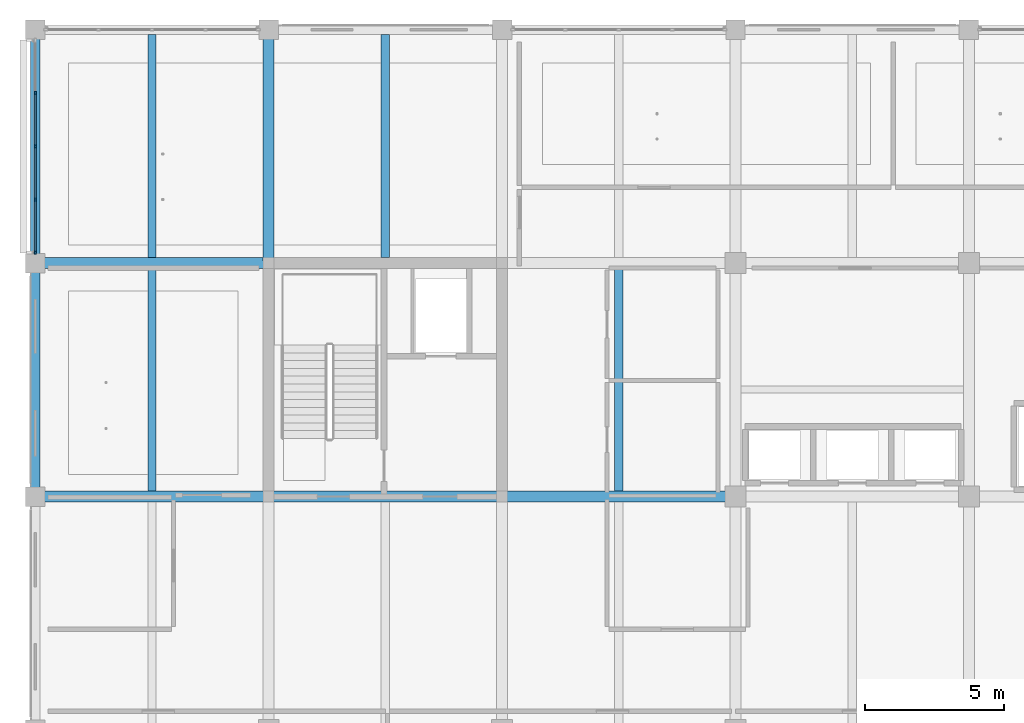
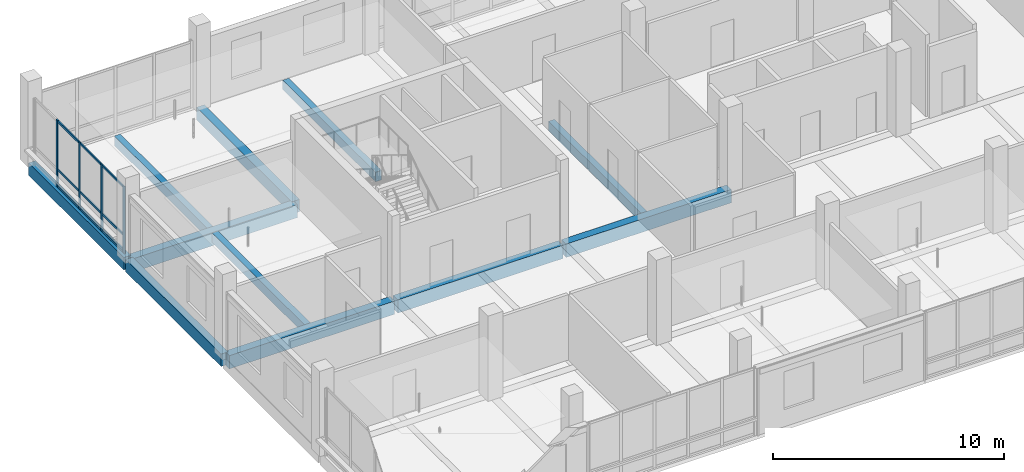
# One storey, part 4 of 32: 13 members, 11 beams, 1 element without a shape of its own.
"""IFC4 building model written with IfcOpenShell, lengths in metres."""

from ifc_helpers import new_model, si_unit, direction, frame, origin, origin_2d, place, context, subcontext, project, spatial, rectangle, extrude, material, layer, layer_set, material_profile, profile_set, type_object, element, aggregate, save


model = new_model("IFC4")

# Units and contexts
model_context = context("Model", 3, precision=1e-05, world=origin(), true_north=direction((0.0, 1.0)))
body_context = subcontext(model_context, "Body", "Model", "MODEL_VIEW")
ifc_project = project(units=[si_unit("LENGTHUNIT", "METRE"), si_unit("AREAUNIT", "SQUARE_METRE"), si_unit("VOLUMEUNIT", "CUBIC_METRE"), si_unit("PLANEANGLEUNIT", "RADIAN"), si_unit("MASSUNIT", "GRAM", prefix="KILO")], contexts=[model_context])

# Site, building, storey
site_placement = place(None, origin())
site = spatial("IfcSite", under=ifc_project, at=site_placement, CompositionType="ELEMENT")
building_placement = place(site_placement, origin())
building = spatial("IfcBuilding", under=site, at=building_placement, Name="Telukmera Botanical Conservatory", CompositionType="ELEMENT")
storey_placement = place(building_placement, frame((0.0, 0.0, 42.0)))
storey = spatial("IfcBuildingStorey", under=building, at=storey_placement, Name="L09", CompositionType="ELEMENT", Elevation=42.0)

# Beams
ifc_material_1 = material(Name="Concrete C40/50", Category="concrete")
ifc_material_profile_1 = material_profile(ifc_material_1, rectangle(XDim=0.300048828125, YDim=0.5, at=origin_2d()), Name="RC 300x500")
ifc_profile_set_1 = profile_set([ifc_material_profile_1], Name="Concrete C40/50")
beam_type_1 = type_object("IfcBeamType", Name="Beam_B24", PredefinedType="JOIST", material=ifc_profile_set_1)
beam_1_placement = place(storey_placement, frame((54.60009765625, 26.199951171875, -0.25), z_axis=(0.0, 1.0, 0.0), x_axis=(-1.0, 0.0, 0.0)))
element("IfcBeam", 1, at=beam_1_placement, inside=storey, type_object=beam_type_1, Name="Tower Secondary Floor Joist L09", PredefinedType="JOIST", context=body_context, shape_type="SweptSolid", body=[
    extrude(rectangle(XDim=0.300048828125, YDim=0.5, at=origin_2d()), origin(), (0.0, 0.0, 1.0), 8.0),
])
for number, where, z_axis, x_axis, name in (
    (2, (54.60009765625, 34.60009765625, -0.25), (0.0, 1.0, 0.0), (-1.0, 0.0, 0.0), "Tower Secondary Floor Joist L09"),
    (3, (63.0, 34.60009765625, -0.25), (0.0, 1.0, 0.0), (-1.0, 0.0, 0.0), "Tower Secondary Floor Joist L09"),
):
    element("IfcBeam", number, at=place(storey_placement, frame(where, z_axis=z_axis, x_axis=x_axis)), inside=storey, type_object=beam_type_1, Name=name, PredefinedType="JOIST", context=body_context, shape_type="SweptSolid", body=[
        extrude(rectangle(XDim=0.300048828125, YDim=0.5, at=origin_2d()), origin(), (0.0, 0.0, 1.0), 8.02490234375),
    ])
beam_2_placement = place(storey_placement, frame((71.39990234375, 26.199951171875, -0.25), z_axis=(0.0, 1.0, 0.0), x_axis=(-1.0, 0.0, 0.0)))
element("IfcBeam", 4, at=beam_2_placement, inside=storey, type_object=beam_type_1, Name="Tower Secondary Floor Joist L09", PredefinedType="JOIST", context=body_context, shape_type="SweptSolid", body=[
    extrude(rectangle(XDim=0.300048828125, YDim=0.5, at=origin_2d()), origin(), (0.0, 0.0, 1.0), 8.0),
])
ifc_material_profile_2 = material_profile(ifc_material_1, rectangle(XDim=0.39990234375, YDim=0.699951171875, at=origin_2d()), Name="RC 400x700")
ifc_profile_set_2 = profile_set([ifc_material_profile_2], Name="Concrete C40/50")
beam_type_2 = type_object("IfcBeamType", Name="Beam_B7", PredefinedType="BEAM", material=ifc_profile_set_2)
beam_3_placement = place(storey_placement, frame((50.47998046875, 26.0, -0.35009765625), z_axis=(1.0, 0.0, 0.0), x_axis=(0.0, 1.0, 0.0)))
element("IfcBeam", 5, at=beam_3_placement, inside=storey, type_object=beam_type_2, Name="Tower Grid Beam L09", PredefinedType="BEAM", context=body_context, shape_type="SweptSolid", body=[
    extrude(rectangle(XDim=0.39990234375, YDim=0.699951171875, at=origin_2d()), origin(), (0.0, 0.0, 1.0), 8.239990234375),
])
beam_4_placement = place(storey_placement, frame((58.8798828125, 26.0, -0.35009765625), z_axis=(1.0, 0.0, 0.0), x_axis=(0.0, 1.0, 0.0)))
element("IfcBeam", 6, at=beam_4_placement, inside=storey, type_object=beam_type_2, Name="Tower Grid Beam L09", PredefinedType="BEAM", context=body_context, shape_type="SweptSolid", body=[
    extrude(rectangle(XDim=0.39990234375, YDim=0.699951171875, at=origin_2d()), origin(), (0.0, 0.0, 1.0), 8.240234375),
])
for number, where, z_axis, x_axis, name in (
    (7, (67.280029296875, 26.0, -0.35009765625), (1.0, 0.0, 0.0), (0.0, 1.0, 0.0), "Tower Grid Beam L09"),
    (8, (50.47998046875, 34.39990234375, -0.35009765625), (1.0, 0.0, 0.0), (0.0, 1.0, 0.0), "Tower Grid Beam L09"),
):
    element("IfcBeam", number, at=place(storey_placement, frame(where, z_axis=z_axis, x_axis=x_axis)), inside=storey, type_object=beam_type_2, Name=name, PredefinedType="BEAM", context=body_context, shape_type="SweptSolid", body=[
        extrude(rectangle(XDim=0.39990234375, YDim=0.699951171875, at=origin_2d()), origin(), (0.0, 0.0, 1.0), 8.239990234375),
    ])
ifc_material_profile_3 = material_profile(ifc_material_1, rectangle(XDim=0.39990234375, YDim=0.64990234375, at=origin_2d()), Name="RC 400x650")
ifc_profile_set_3 = profile_set([ifc_material_profile_3], Name="Concrete C40/50")
beam_type_3 = type_object("IfcBeamType", Name="Beam_B8", PredefinedType="BEAM", material=ifc_profile_set_3)
beam_5_placement = place(storey_placement, frame((58.800048828125, 34.47998046875, -0.324951171875), z_axis=(0.0, 1.0, 0.0), x_axis=(-1.0, 0.0, 0.0)))
element("IfcBeam", 9, at=beam_5_placement, inside=storey, type_object=beam_type_3, Name="Tower Transverse Beam L09", PredefinedType="BEAM", context=body_context, shape_type="SweptSolid", body=[
    extrude(rectangle(XDim=0.39990234375, YDim=0.64990234375, at=origin_2d()), origin(), (0.0, 0.0, 1.0), 8.239990234375),
])
ifc_material_2 = material(Name="Precast concrete C40/50", Category="concrete")
ifc_material_profile_4 = material_profile(ifc_material_2, rectangle(XDim=0.35009765625, YDim=0.64990234375, at=origin_2d()), Name="PC 350x650")
ifc_profile_set_4 = profile_set([ifc_material_profile_4], Name="Precast concrete C40/50")
beam_type_4 = type_object("IfcBeamType", Name="Beam_SP3", PredefinedType="SPANDREL", material=ifc_profile_set_4)
for number, where, z_axis, x_axis, name in (
    (10, (50.39990234375, 26.080078125, -0.324951171875), (0.0, 1.0, 0.0), (-1.0, 0.0, 0.0), "Tower Transverse Beam L09"),
    (11, (50.39990234375, 34.47998046875, -0.324951171875), (0.0, 1.0, 0.0), (-1.0, 0.0, 0.0), "Tower Transverse Beam L09"),
):
    element("IfcBeam", number, at=place(storey_placement, frame(where, z_axis=z_axis, x_axis=x_axis)), inside=storey, type_object=beam_type_4, Name=name, PredefinedType="SPANDREL", context=body_context, shape_type="SweptSolid", body=[
        extrude(rectangle(XDim=0.35009765625, YDim=0.64990234375, at=origin_2d()), origin(), (0.0, 0.0, 1.0), 8.239990234375),
    ])

# Curtain wall, members
ifc_material_3 = material(Name="Anodised aluminium 6063-T6", Category="aluminium")
ifc_layer = layer(ifc_material_3, 0.179931640625)
ifc_layer_set = layer_set([ifc_layer], Name="Anodised aluminium 6063-T6")
curtain_wall_type = type_object("IfcCurtainWallType", Name="Tower Research Laboratory Unitised Curtain Wall", PredefinedType="USERDEFINED", material=ifc_layer_set)
curtain_wall_placement = place(storey_placement, origin())
curtain_wall = element("IfcCurtainWall", 12, at=curtain_wall_placement, inside=storey, type_object=curtain_wall_type, Name="Unitised Curtain Wall CW15 V4:L09:W4", ObjectType="UNITISED CURTAIN WALL", PredefinedType="USERDEFINED")
ifc_material_profile_5 = material_profile(ifc_material_3, rectangle(XDim=0.06005859375, YDim=0.139892578125, at=origin_2d()), Name="ALU MULL 60x140")
ifc_profile_set_5 = profile_set([ifc_material_profile_5], Name="Anodised aluminium 6063-T6")
member_type_1 = type_object("IfcMemberType", Name="Curtain Wall Extruded Mullion 60x140", PredefinedType="MULLION", material=ifc_profile_set_5)
member_1_placement = place(storey_placement, frame((50.39990234375, 34.781982421875, 0.0), z_axis=(0.0, 0.0, 1.0), x_axis=(-1.0, 0.0, 0.0)))
member_1 = element("IfcMember", 13, at=member_1_placement, type_object=member_type_1, Name="CW15 mullion 1", PredefinedType="MULLION", context=body_context, shape_type="SweptSolid", body=[
    extrude(rectangle(XDim=0.06005859375, YDim=0.139892578125, at=origin_2d()), origin(), (0.0, 0.0, 1.0), 3.550048828125),
])
member_2_placement = place(storey_placement, frame((50.39990234375, 36.676025390625, 0.0), z_axis=(0.0, 0.0, 1.0), x_axis=(-1.0, 0.0, 0.0)))
member_2 = element("IfcMember", 14, at=member_2_placement, type_object=member_type_1, Name="CW15 mullion 2", PredefinedType="MULLION", context=body_context, shape_type="SweptSolid", body=[
    extrude(rectangle(XDim=0.06005859375, YDim=0.139892578125, at=origin_2d()), origin(), (0.0, 0.0, 1.0), 3.550048828125),
])
member_3_placement = place(storey_placement, frame((50.39990234375, 38.60009765625, 0.0), z_axis=(0.0, 0.0, 1.0), x_axis=(-1.0, 0.0, 0.0)))
member_3 = element("IfcMember", 15, at=member_3_placement, type_object=member_type_1, Name="CW15 mullion 3", PredefinedType="MULLION", context=body_context, shape_type="SweptSolid", body=[
    extrude(rectangle(XDim=0.06005859375, YDim=0.139892578125, at=origin_2d()), origin(), (0.0, 0.0, 1.0), 3.550048828125),
])
member_4_placement = place(storey_placement, frame((50.39990234375, 40.52392578125, 0.0), z_axis=(0.0, 0.0, 1.0), x_axis=(-1.0, 0.0, 0.0)))
member_4 = element("IfcMember", 16, at=member_4_placement, type_object=member_type_1, Name="CW15 mullion 4", PredefinedType="MULLION", context=body_context, shape_type="SweptSolid", body=[
    extrude(rectangle(XDim=0.06005859375, YDim=0.139892578125, at=origin_2d()), origin(), (0.0, 0.0, 1.0), 3.550048828125),
])
ifc_material_profile_6 = material_profile(ifc_material_3, rectangle(XDim=0.06005859375, YDim=0.110107421875, at=origin_2d()), Name="ALU TRAN 60x110")
ifc_profile_set_6 = profile_set([ifc_material_profile_6], Name="Anodised aluminium 6063-T6")
member_type_2 = type_object("IfcMemberType", Name="Curtain Wall Extruded Transom 60x110", PredefinedType="USERDEFINED", material=ifc_profile_set_6)
member_5_placement = place(storey_placement, frame((50.39990234375, 34.81201171875, 0.054931640625), z_axis=(0.0, 1.0, 0.0), x_axis=(-1.0, 0.0, 0.0)))
member_5 = element("IfcMember", 17, at=member_5_placement, type_object=member_type_2, Name="CW15 transom 1.1", ObjectType="TRANSOM", PredefinedType="USERDEFINED", context=body_context, shape_type="SweptSolid", body=[
    extrude(rectangle(XDim=0.06005859375, YDim=0.110107421875, at=origin_2d()), origin(), (0.0, 0.0, 1.0), 1.833984375),
])
member_6_placement = place(storey_placement, frame((50.39990234375, 34.81201171875, 0.949951171875), z_axis=(0.0, 1.0, 0.0), x_axis=(-1.0, 0.0, 0.0)))
member_6 = element("IfcMember", 18, at=member_6_placement, type_object=member_type_2, Name="CW15 transom 1.2", ObjectType="TRANSOM", PredefinedType="USERDEFINED", context=body_context, shape_type="SweptSolid", body=[
    extrude(rectangle(XDim=0.06005859375, YDim=0.110107421875, at=origin_2d()), origin(), (0.0, 0.0, 1.0), 1.833984375),
])
member_7_placement = place(storey_placement, frame((50.39990234375, 34.81201171875, 3.4951171875), z_axis=(0.0, 1.0, 0.0), x_axis=(-1.0, 0.0, 0.0)))
member_7 = element("IfcMember", 19, at=member_7_placement, type_object=member_type_2, Name="CW15 transom 1.3", ObjectType="TRANSOM", PredefinedType="USERDEFINED", context=body_context, shape_type="SweptSolid", body=[
    extrude(rectangle(XDim=0.06005859375, YDim=0.110107421875, at=origin_2d()), origin(), (0.0, 0.0, 1.0), 1.833984375),
])
member_8_placement = place(storey_placement, frame((50.39990234375, 36.7060546875, 0.054931640625), z_axis=(0.0, 1.0, 0.0), x_axis=(-1.0, 0.0, 0.0)))
member_8 = element("IfcMember", 20, at=member_8_placement, type_object=member_type_2, Name="CW15 transom 2.1", ObjectType="TRANSOM", PredefinedType="USERDEFINED", context=body_context, shape_type="SweptSolid", body=[
    extrude(rectangle(XDim=0.06005859375, YDim=0.110107421875, at=origin_2d()), origin(), (0.0, 0.0, 1.0), 1.864013671875),
])
member_9_placement = place(storey_placement, frame((50.39990234375, 36.7060546875, 0.949951171875), z_axis=(0.0, 1.0, 0.0), x_axis=(-1.0, 0.0, 0.0)))
member_9 = element("IfcMember", 21, at=member_9_placement, type_object=member_type_2, Name="CW15 transom 2.2", ObjectType="TRANSOM", PredefinedType="USERDEFINED", context=body_context, shape_type="SweptSolid", body=[
    extrude(rectangle(XDim=0.06005859375, YDim=0.110107421875, at=origin_2d()), origin(), (0.0, 0.0, 1.0), 1.864013671875),
])
member_10_placement = place(storey_placement, frame((50.39990234375, 36.7060546875, 3.4951171875), z_axis=(0.0, 1.0, 0.0), x_axis=(-1.0, 0.0, 0.0)))
member_10 = element("IfcMember", 22, at=member_10_placement, type_object=member_type_2, Name="CW15 transom 2.3", ObjectType="TRANSOM", PredefinedType="USERDEFINED", context=body_context, shape_type="SweptSolid", body=[
    extrude(rectangle(XDim=0.06005859375, YDim=0.110107421875, at=origin_2d()), origin(), (0.0, 0.0, 1.0), 1.864013671875),
])
member_11_placement = place(storey_placement, frame((50.39990234375, 38.6298828125, 0.054931640625), z_axis=(0.0, 1.0, 0.0), x_axis=(-1.0, 0.0, 0.0)))
member_11 = element("IfcMember", 23, at=member_11_placement, type_object=member_type_2, Name="CW15 transom 3.1", ObjectType="TRANSOM", PredefinedType="USERDEFINED", context=body_context, shape_type="SweptSolid", body=[
    extrude(rectangle(XDim=0.06005859375, YDim=0.110107421875, at=origin_2d()), origin(), (0.0, 0.0, 1.0), 1.864013671875),
])
member_12_placement = place(storey_placement, frame((50.39990234375, 38.6298828125, 0.949951171875), z_axis=(0.0, 1.0, 0.0), x_axis=(-1.0, 0.0, 0.0)))
member_12 = element("IfcMember", 24, at=member_12_placement, type_object=member_type_2, Name="CW15 transom 3.2", ObjectType="TRANSOM", PredefinedType="USERDEFINED", context=body_context, shape_type="SweptSolid", body=[
    extrude(rectangle(XDim=0.06005859375, YDim=0.110107421875, at=origin_2d()), origin(), (0.0, 0.0, 1.0), 1.864013671875),
])
member_13_placement = place(storey_placement, frame((50.39990234375, 38.6298828125, 3.4951171875), z_axis=(0.0, 1.0, 0.0), x_axis=(-1.0, 0.0, 0.0)))
member_13 = element("IfcMember", 25, at=member_13_placement, type_object=member_type_2, Name="CW15 transom 3.3", ObjectType="TRANSOM", PredefinedType="USERDEFINED", context=body_context, shape_type="SweptSolid", body=[
    extrude(rectangle(XDim=0.06005859375, YDim=0.110107421875, at=origin_2d()), origin(), (0.0, 0.0, 1.0), 1.864013671875),
])
aggregate(curtain_wall, [member_1, member_2, member_3, member_4, member_5, member_6, member_7, member_8, member_9, member_10, member_11, member_12, member_13])

save(model, "model.ifc")
